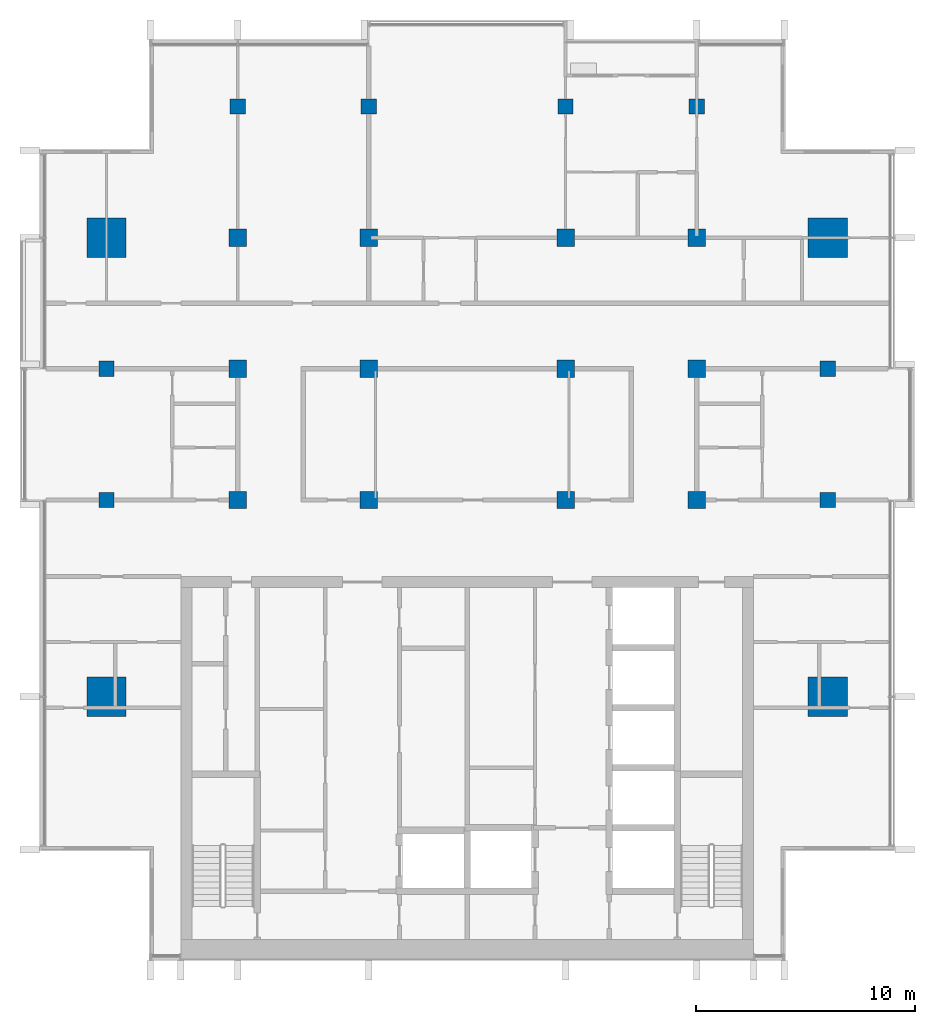
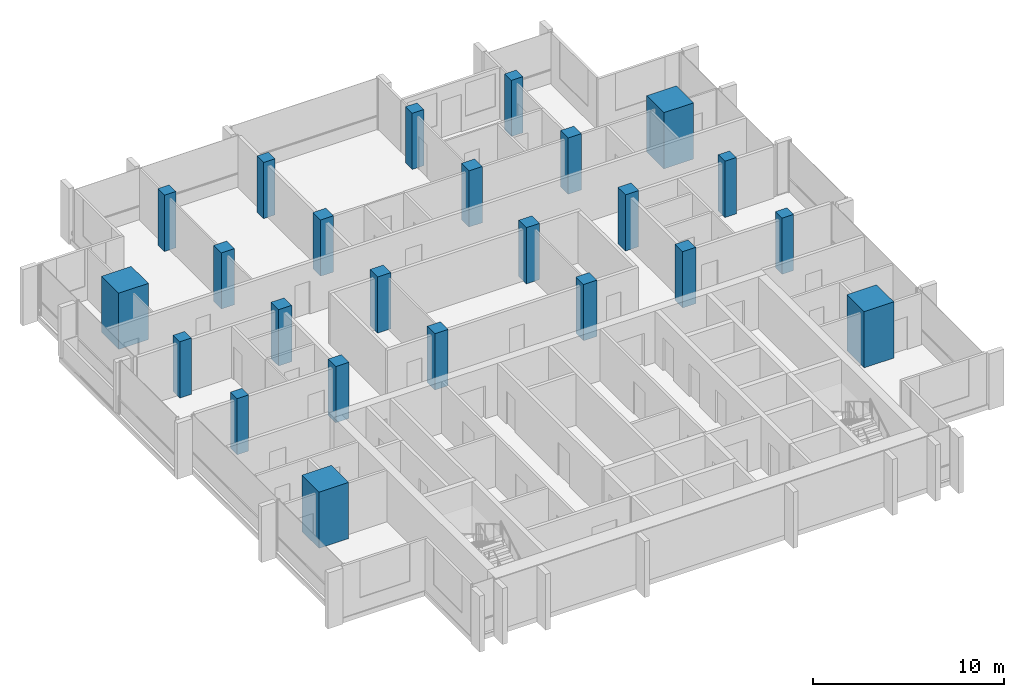
# One storey, part 1 of 16: 24 columns.
"""IFC4 building model written with IfcOpenShell, lengths in metres."""

from ifc_helpers import new_model, si_unit, direction, frame, origin, origin_2d, place, context, subcontext, project, spatial, rectangle, extrude, material, material_profile, profile_set, type_object, element, save


model = new_model("IFC4")

# Units and contexts
model_context = context("Model", 3, precision=1e-05, world=origin(), true_north=direction((0.0, 1.0)))
body_context = subcontext(model_context, "Body", "Model", "MODEL_VIEW")
ifc_project = project(units=[si_unit("LENGTHUNIT", "METRE"), si_unit("AREAUNIT", "SQUARE_METRE"), si_unit("VOLUMEUNIT", "CUBIC_METRE"), si_unit("PLANEANGLEUNIT", "RADIAN"), si_unit("MASSUNIT", "GRAM", prefix="KILO")], contexts=[model_context])

# Site, building, storey
site_placement = place(None, origin())
site = spatial("IfcSite", under=ifc_project, at=site_placement, CompositionType="ELEMENT")
building_placement = place(site_placement, origin())
building = spatial("IfcBuilding", under=site, at=building_placement, Name="Finial Court Residences", CompositionType="ELEMENT")
storey_placement = place(building_placement, frame((0.0, 0.0, 262.699951171875)))
storey = spatial("IfcBuildingStorey", under=building, at=storey_placement, Name="L66", CompositionType="ELEMENT", Elevation=262.699951171875)

# Columns
ifc_material = material(Name="Concrete C50/60", Category="concrete")
ifc_material_profile_1 = material_profile(ifc_material, rectangle(XDim=0.800048828125, YDim=0.800048828125, at=origin_2d()), Name="800x800")
ifc_profile_set_1 = profile_set([ifc_material_profile_1], Name="Concrete C50/60")
column_type_1 = type_object("IfcColumnType", Name="Interior column 800x800 Concrete C50/60", PredefinedType="COLUMN", material=ifc_profile_set_1)
for number, where, z_axis, x_axis, name in (
    (1, (-10.5, -4.5, 0.0), (0.0, 0.0, 1.0), (1.0, 0.0, 0.0), "S:COL:L66:D4"),
    (2, (-10.5, 1.5, 0.0), (0.0, 0.0, 1.0), (1.0, 0.0, 0.0), "S:COL:L66:D5"),
    (3, (-10.5, 7.5, 0.0), (0.0, 0.0, 1.0), (1.0, 0.0, 0.0), "S:COL:L66:D6"),
    (4, (-4.5, -4.5, 0.0), (0.0, 0.0, 1.0), (1.0, 0.0, 0.0), "S:COL:L66:E4"),
    (5, (-4.5, 1.5, 0.0), (0.0, 0.0, 1.0), (1.0, 0.0, 0.0), "S:COL:L66:E5"),
    (6, (-4.5, 7.5, 0.0), (0.0, 0.0, 1.0), (1.0, 0.0, 0.0), "S:COL:L66:E6"),
    (7, (4.5, -4.5, 0.0), (0.0, 0.0, 1.0), (1.0, 0.0, 0.0), "S:COL:L66:F4"),
    (8, (4.5, 1.5, 0.0), (0.0, 0.0, 1.0), (1.0, 0.0, 0.0), "S:COL:L66:F5"),
    (9, (4.5, 7.5, 0.0), (0.0, 0.0, 1.0), (1.0, 0.0, 0.0), "S:COL:L66:F6"),
    (10, (10.5, -4.5, 0.0), (0.0, 0.0, 1.0), (1.0, 0.0, 0.0), "S:COL:L66:G4"),
    (11, (10.5, 1.5, 0.0), (0.0, 0.0, 1.0), (1.0, 0.0, 0.0), "S:COL:L66:G5"),
    (12, (10.5, 7.5, 0.0), (0.0, 0.0, 1.0), (1.0, 0.0, 0.0), "S:COL:L66:G6"),
):
    element("IfcColumn", number, at=place(storey_placement, frame(where, z_axis=z_axis, x_axis=x_axis)), inside=storey, type_object=column_type_1, Name=name, PredefinedType="COLUMN", context=body_context, shape_type="SweptSolid", body=[
        extrude(rectangle(XDim=0.800048828125, YDim=0.800048828125, at=origin_2d()), origin(), (0.0, 0.0, 1.0), 3.60009765625),
    ])
ifc_material_profile_2 = material_profile(ifc_material, rectangle(XDim=1.800048828125, YDim=1.800048828125, at=origin_2d()), Name="1800x1800")
ifc_profile_set_2 = profile_set([ifc_material_profile_2], Name="Concrete C50/60")
column_type_2 = type_object("IfcColumnType", Name="Mega column 1800x1800 Concrete C50/60", PredefinedType="COLUMN", material=ifc_profile_set_2)
for number, where, z_axis, x_axis, name in (
    (13, (-16.5, -13.5, 0.0), (0.0, 0.0, 1.0), (1.0, 0.0, 0.0), "S:COL:L66:C3"),
    (14, (-16.5, 7.5, 0.0), (0.0, 0.0, 1.0), (1.0, 0.0, 0.0), "S:COL:L66:C6"),
    (15, (16.5, -13.5, 0.0), (0.0, 0.0, 1.0), (1.0, 0.0, 0.0), "S:COL:L66:H3"),
    (16, (16.5, 7.5, 0.0), (0.0, 0.0, 1.0), (1.0, 0.0, 0.0), "S:COL:L66:H6"),
):
    element("IfcColumn", number, at=place(storey_placement, frame(where, z_axis=z_axis, x_axis=x_axis)), inside=storey, type_object=column_type_2, Name=name, PredefinedType="COLUMN", context=body_context, shape_type="SweptSolid", body=[
        extrude(rectangle(XDim=1.800048828125, YDim=1.800048828125, at=origin_2d()), origin(), (0.0, 0.0, 1.0), 3.60009765625),
    ])
ifc_material_profile_3 = material_profile(ifc_material, rectangle(XDim=0.699951171875, YDim=0.699951171875, at=origin_2d()), Name="700x700")
ifc_profile_set_3 = profile_set([ifc_material_profile_3], Name="Concrete C50/60")
column_type_3 = type_object("IfcColumnType", Name="Perimeter column 700x700 Concrete C50/60", PredefinedType="COLUMN", material=ifc_profile_set_3)
for number, where, z_axis, x_axis, name in (
    (17, (-16.5, -4.5, 0.0), (0.0, 0.0, 1.0), (1.0, 0.0, 0.0), "S:COL:L66:C4"),
    (18, (-16.5, 1.5, 0.0), (0.0, 0.0, 1.0), (1.0, 0.0, 0.0), "S:COL:L66:C5"),
    (19, (-10.5, 13.5, 0.0), (0.0, 0.0, 1.0), (1.0, 0.0, 0.0), "S:COL:L66:D7"),
    (20, (-4.5, 13.5, 0.0), (0.0, 0.0, 1.0), (1.0, 0.0, 0.0), "S:COL:L66:E7"),
    (21, (4.5, 13.5, 0.0), (0.0, 0.0, 1.0), (1.0, 0.0, 0.0), "S:COL:L66:F7"),
    (22, (10.5, 13.5, 0.0), (0.0, 0.0, 1.0), (1.0, 0.0, 0.0), "S:COL:L66:G7"),
    (23, (16.5, -4.5, 0.0), (0.0, 0.0, 1.0), (1.0, 0.0, 0.0), "S:COL:L66:H4"),
    (24, (16.5, 1.5, 0.0), (0.0, 0.0, 1.0), (1.0, 0.0, 0.0), "S:COL:L66:H5"),
):
    element("IfcColumn", number, at=place(storey_placement, frame(where, z_axis=z_axis, x_axis=x_axis)), inside=storey, type_object=column_type_3, Name=name, PredefinedType="COLUMN", context=body_context, shape_type="SweptSolid", body=[
        extrude(rectangle(XDim=0.699951171875, YDim=0.699951171875, at=origin_2d()), origin(), (0.0, 0.0, 1.0), 3.60009765625),
    ])

save(model, "model.ifc")
